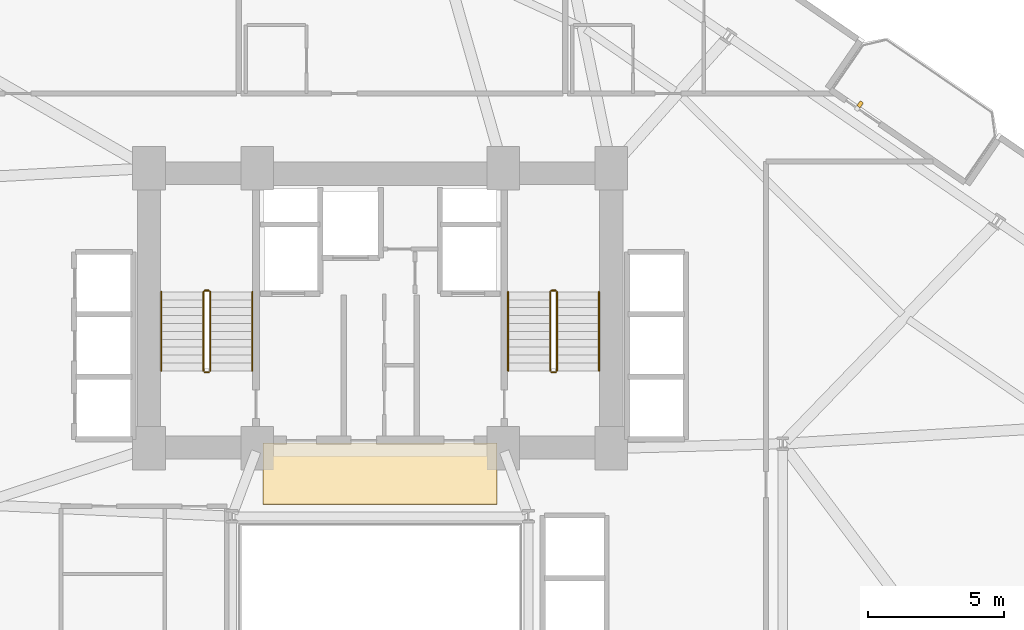
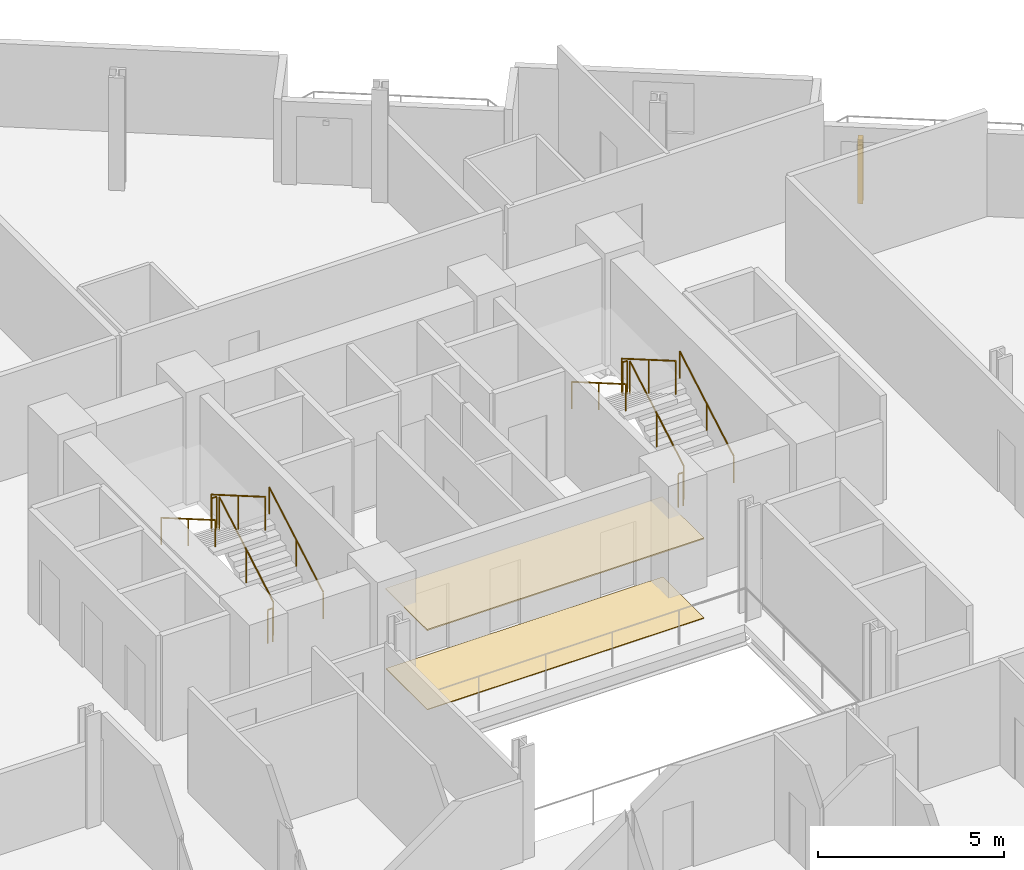
# One storey, part 24 of 25: 12 railings, 2 coverings, 1 shading device.
"""IFC4 building model written with IfcOpenShell, lengths in metres."""

from ifc_helpers import new_model, si_unit, direction, frame, origin, origin_2d, place, context, subcontext, project, spatial, rectangle, circle, extrude, source, transform, mapped, material, layer, layer_set, type_object, element, save


model = new_model("IFC4")

# Units and contexts
model_context = context("Model", 3, precision=1e-05, world=origin(), true_north=direction((0.0, 1.0)))
body_context = subcontext(model_context, "Body", "Model", "MODEL_VIEW")
ifc_project = project(units=[si_unit("LENGTHUNIT", "METRE"), si_unit("AREAUNIT", "SQUARE_METRE"), si_unit("VOLUMEUNIT", "CUBIC_METRE"), si_unit("PLANEANGLEUNIT", "RADIAN"), si_unit("MASSUNIT", "GRAM", prefix="KILO")], contexts=[model_context])

# Site, building, storey
site_placement = place(None, origin())
site = spatial("IfcSite", under=ifc_project, at=site_placement, CompositionType="ELEMENT")
building_placement = place(site_placement, origin())
building = spatial("IfcBuilding", under=site, at=building_placement, Name="Varnelok Gate Tower", CompositionType="ELEMENT")
storey_placement = place(building_placement, frame((0.0, 0.0, 56.60009765625)))
storey = spatial("IfcBuildingStorey", under=building, at=storey_placement, Name="L13", CompositionType="ELEMENT", Elevation=56.60009765625)

# Railings
ifc_material_1 = material(Name="Brushed Stainless Steel AISI 316", Category="steel")
railing_type_1 = type_object("IfcRailingType", Name="RL-HANDRAIL-900", PredefinedType="HANDRAIL", material=ifc_material_1)
railing_1_placement = place(storey_placement, frame((34.5, 31.60009765625, 0.16796875)))
element("IfcRailing", 1, at=railing_1_placement, inside=storey, type_object=railing_type_1, Name="L13 ST-1 stair handrail 1", PredefinedType="HANDRAIL", context=body_context, shape_type="SweptSolid", body=[
    extrude(circle(Radius=0.02392578125, at=origin_2d()), frame((0.0, 0.0, 0.8759765625), z_axis=(0.0, 0.865038774852, 0.501705010941), x_axis=(-1.0, 0.0, 0.0)), (0.0, 0.0, 1.0), 3.352294921875),
    extrude(circle(Radius=0.02099609375, at=origin_2d()), origin(), (0.0, 0.0, 1.0), 0.851806640625),
    extrude(circle(Radius=0.02099609375, at=origin_2d()), frame((0.0, 1.449951171875, 0.8408203125)), (0.0, 0.0, 1.0), 0.851806640625),
    extrude(circle(Radius=0.02099609375, at=origin_2d()), frame((0.0, 2.89990234375, 1.681884765625)), (0.0, 0.0, 1.0), 0.851806640625),
])
railing_2_placement = place(storey_placement, frame((31.14990234375, 34.5, 2.01806640625)))
element("IfcRailing", 2, at=railing_2_placement, inside=storey, type_object=railing_type_1, Name="L13 ST-1 stair handrail 2", PredefinedType="HANDRAIL", context=body_context, shape_type="SweptSolid", body=[
    extrude(circle(Radius=0.02392578125, at=origin_2d()), frame((0.0, 0.0, 0.8759765625), z_axis=(0.0, -0.865038774852, 0.501705010941), x_axis=(1.0, 0.0, 0.0)), (0.0, 0.0, 1.0), 3.352294921875),
    extrude(circle(Radius=0.02099609375, at=origin_2d()), origin(), (0.0, 0.0, 1.0), 0.851806640625),
    extrude(circle(Radius=0.02099609375, at=origin_2d()), frame((0.0, -1.449951171875, 0.8408203125)), (0.0, 0.0, 1.0), 0.851806640625),
    extrude(circle(Radius=0.02099609375, at=origin_2d()), frame((0.0, -2.89990234375, 1.681884765625)), (0.0, 0.0, 1.0), 0.851806640625),
])
railing_3_placement = place(storey_placement, frame((47.25, 31.60009765625, 0.16796875)))
element("IfcRailing", 3, at=railing_3_placement, inside=storey, type_object=railing_type_1, Name="L13 ST-2 stair handrail 1", PredefinedType="HANDRAIL", context=body_context, shape_type="SweptSolid", body=[
    extrude(circle(Radius=0.02392578125, at=origin_2d()), frame((0.0, 0.0, 0.8759765625), z_axis=(0.0, 0.865038774852, 0.501705010941), x_axis=(-1.0, 0.0, 0.0)), (0.0, 0.0, 1.0), 3.352294921875),
    extrude(circle(Radius=0.02099609375, at=origin_2d()), origin(), (0.0, 0.0, 1.0), 0.851806640625),
    extrude(circle(Radius=0.02099609375, at=origin_2d()), frame((0.0, 1.449951171875, 0.8408203125)), (0.0, 0.0, 1.0), 0.851806640625),
    extrude(circle(Radius=0.02099609375, at=origin_2d()), frame((0.0, 2.89990234375, 1.681884765625)), (0.0, 0.0, 1.0), 0.851806640625),
])
railing_4_placement = place(storey_placement, frame((43.89990234375, 34.5, 2.01806640625)))
element("IfcRailing", 4, at=railing_4_placement, inside=storey, type_object=railing_type_1, Name="L13 ST-2 stair handrail 2", PredefinedType="HANDRAIL", context=body_context, shape_type="SweptSolid", body=[
    extrude(circle(Radius=0.02392578125, at=origin_2d()), frame((0.0, 0.0, 0.8759765625), z_axis=(0.0, -0.865038774852, 0.501705010941), x_axis=(1.0, 0.0, 0.0)), (0.0, 0.0, 1.0), 3.352294921875),
    extrude(circle(Radius=0.02099609375, at=origin_2d()), origin(), (0.0, 0.0, 1.0), 0.851806640625),
    extrude(circle(Radius=0.02099609375, at=origin_2d()), frame((0.0, -1.449951171875, 0.8408203125)), (0.0, 0.0, 1.0), 0.851806640625),
    extrude(circle(Radius=0.02099609375, at=origin_2d()), frame((0.0, -2.89990234375, 1.681884765625)), (0.0, 0.0, 1.0), 0.851806640625),
])
ifc_material_2 = material(Name="Galvanized Steel Grade S350GD", Category="steel")
railing_type_2 = type_object("IfcRailingType", Name="RL-STAIR-GUARD1120", PredefinedType="GUARDRAIL", material=ifc_material_2)
railing_5_placement = place(storey_placement, frame((32.949951171875, 31.60009765625, 0.16796875)))
element("IfcRailing", 5, at=railing_5_placement, inside=storey, type_object=railing_type_2, Name="L13 ST-1 stair guard 1", PredefinedType="GUARDRAIL", context=body_context, shape_type="SweptSolid", body=[
    extrude(circle(Radius=0.02392578125, at=origin_2d()), frame((0.0, 0.0, 1.09619140625), z_axis=(0.0, 0.865038774852, 0.501705010941), x_axis=(-1.0, 0.0, 0.0)), (0.0, 0.0, 1.0), 3.352294921875),
    extrude(circle(Radius=0.02099609375, at=origin_2d()), origin(), (0.0, 0.0, 1.0), 1.072021484375),
    extrude(circle(Radius=0.02099609375, at=origin_2d()), frame((0.0, 1.449951171875, 0.8408203125)), (0.0, 0.0, 1.0), 1.072021484375),
    extrude(circle(Radius=0.02099609375, at=origin_2d()), frame((0.0, 2.89990234375, 1.681884765625)), (0.0, 0.0, 1.0), 1.072021484375),
])
railing_6_placement = place(storey_placement, frame((32.89990234375, 34.550048828125, 1.849853515625)))
element("IfcRailing", 6, at=railing_6_placement, inside=storey, type_object=railing_type_2, Name="L13 ST-1 stair guard 2", PredefinedType="GUARDRAIL", context=body_context, shape_type="SweptSolid", body=[
    extrude(circle(Radius=0.02392578125, at=origin_2d()), frame((0.0, 0.0, 1.09619140625), z_axis=(-1.0, 0.0, 0.0), x_axis=(0.0, -1.0, 0.0)), (0.0, 0.0, 1.0), 0.14990234375),
    extrude(circle(Radius=0.02099609375, at=origin_2d()), origin(), (0.0, 0.0, 1.0), 1.072021484375),
    extrude(circle(Radius=0.02099609375, at=origin_2d()), frame((-0.14990234375, 0.0, 0.0)), (0.0, 0.0, 1.0), 1.072021484375),
])
railing_7_placement = place(storey_placement, frame((32.699951171875, 34.5, 2.01806640625)))
element("IfcRailing", 7, at=railing_7_placement, inside=storey, type_object=railing_type_2, Name="L13 ST-1 stair guard 3", PredefinedType="GUARDRAIL", context=body_context, shape_type="SweptSolid", body=[
    extrude(circle(Radius=0.02392578125, at=origin_2d()), frame((0.0, 0.0, 1.09619140625), z_axis=(0.0, -0.865038774852, 0.501705010941), x_axis=(1.0, 0.0, 0.0)), (0.0, 0.0, 1.0), 3.352294921875),
    extrude(circle(Radius=0.02099609375, at=origin_2d()), origin(), (0.0, 0.0, 1.0), 1.072021484375),
    extrude(circle(Radius=0.02099609375, at=origin_2d()), frame((0.0, -1.449951171875, 0.8408203125)), (0.0, 0.0, 1.0), 1.072021484375),
    extrude(circle(Radius=0.02099609375, at=origin_2d()), frame((0.0, -2.89990234375, 1.681884765625)), (0.0, 0.0, 1.0), 1.072021484375),
])
railing_8_placement = place(storey_placement, frame((32.89990234375, 31.550048828125, 0.0)))
element("IfcRailing", 8, at=railing_8_placement, inside=storey, type_object=railing_type_2, Name="L13 ST-1 stair guard 4", PredefinedType="GUARDRAIL", context=body_context, shape_type="SweptSolid", body=[
    extrude(circle(Radius=0.02392578125, at=origin_2d()), frame((0.0, 0.0, 1.09619140625), z_axis=(-1.0, 0.0, 0.0), x_axis=(0.0, -1.0, 0.0)), (0.0, 0.0, 1.0), 0.14990234375),
    extrude(circle(Radius=0.02099609375, at=origin_2d()), origin(), (0.0, 0.0, 1.0), 1.072021484375),
    extrude(circle(Radius=0.02099609375, at=origin_2d()), frame((-0.14990234375, 0.0, 0.0)), (0.0, 0.0, 1.0), 1.072021484375),
])
railing_9_placement = place(storey_placement, frame((45.699951171875, 31.60009765625, 0.16796875)))
element("IfcRailing", 9, at=railing_9_placement, inside=storey, type_object=railing_type_2, Name="L13 ST-2 stair guard 1", PredefinedType="GUARDRAIL", context=body_context, shape_type="SweptSolid", body=[
    extrude(circle(Radius=0.02392578125, at=origin_2d()), frame((0.0, 0.0, 1.09619140625), z_axis=(0.0, 0.865038774852, 0.501705010941), x_axis=(-1.0, 0.0, 0.0)), (0.0, 0.0, 1.0), 3.352294921875),
    extrude(circle(Radius=0.02099609375, at=origin_2d()), origin(), (0.0, 0.0, 1.0), 1.072021484375),
    extrude(circle(Radius=0.02099609375, at=origin_2d()), frame((0.0, 1.449951171875, 0.8408203125)), (0.0, 0.0, 1.0), 1.072021484375),
    extrude(circle(Radius=0.02099609375, at=origin_2d()), frame((0.0, 2.89990234375, 1.681884765625)), (0.0, 0.0, 1.0), 1.072021484375),
])
railing_10_placement = place(storey_placement, frame((45.64990234375, 34.550048828125, 1.849853515625)))
element("IfcRailing", 10, at=railing_10_placement, inside=storey, type_object=railing_type_2, Name="L13 ST-2 stair guard 2", PredefinedType="GUARDRAIL", context=body_context, shape_type="SweptSolid", body=[
    extrude(circle(Radius=0.02392578125, at=origin_2d()), frame((0.0, 0.0, 1.09619140625), z_axis=(-1.0, 0.0, 0.0), x_axis=(0.0, -1.0, 0.0)), (0.0, 0.0, 1.0), 0.14990234375),
    extrude(circle(Radius=0.02099609375, at=origin_2d()), origin(), (0.0, 0.0, 1.0), 1.072021484375),
    extrude(circle(Radius=0.02099609375, at=origin_2d()), frame((-0.14990234375, 0.0, 0.0)), (0.0, 0.0, 1.0), 1.072021484375),
])
railing_11_placement = place(storey_placement, frame((45.449951171875, 34.5, 2.01806640625)))
element("IfcRailing", 11, at=railing_11_placement, inside=storey, type_object=railing_type_2, Name="L13 ST-2 stair guard 3", PredefinedType="GUARDRAIL", context=body_context, shape_type="SweptSolid", body=[
    extrude(circle(Radius=0.02392578125, at=origin_2d()), frame((0.0, 0.0, 1.09619140625), z_axis=(0.0, -0.865038774852, 0.501705010941), x_axis=(1.0, 0.0, 0.0)), (0.0, 0.0, 1.0), 3.352294921875),
    extrude(circle(Radius=0.02099609375, at=origin_2d()), origin(), (0.0, 0.0, 1.0), 1.072021484375),
    extrude(circle(Radius=0.02099609375, at=origin_2d()), frame((0.0, -1.449951171875, 0.8408203125)), (0.0, 0.0, 1.0), 1.072021484375),
    extrude(circle(Radius=0.02099609375, at=origin_2d()), frame((0.0, -2.89990234375, 1.681884765625)), (0.0, 0.0, 1.0), 1.072021484375),
])
railing_12_placement = place(storey_placement, frame((45.64990234375, 31.550048828125, 0.0)))
element("IfcRailing", 12, at=railing_12_placement, inside=storey, type_object=railing_type_2, Name="L13 ST-2 stair guard 4", PredefinedType="GUARDRAIL", context=body_context, shape_type="SweptSolid", body=[
    extrude(circle(Radius=0.02392578125, at=origin_2d()), frame((0.0, 0.0, 1.09619140625), z_axis=(-1.0, 0.0, 0.0), x_axis=(0.0, -1.0, 0.0)), (0.0, 0.0, 1.0), 0.14990234375),
    extrude(circle(Radius=0.02099609375, at=origin_2d()), origin(), (0.0, 0.0, 1.0), 1.072021484375),
    extrude(circle(Radius=0.02099609375, at=origin_2d()), frame((-0.14990234375, 0.0, 0.0)), (0.0, 0.0, 1.0), 1.072021484375),
])

# Shading device
ifc_material_3 = material(Name="Glazed Architectural Terracotta Ceramic", Category="masonry")
shading_device_type = type_object("IfcShadingDeviceType", Name="SHD-TERRA-FIN", PredefinedType="USERDEFINED", material=ifc_material_3)
shared_shape_1 = source(origin(), body_context, "Body", "SweptSolid", [
    extrude(rectangle(XDim=0.139892578125, YDim=0.219970703125, at=origin_2d()), origin(), (0.0, 0.0, 1.0), 2.10009765625),
])
shading_device_placement = place(storey_placement, frame((56.847412109375, 41.400390625, 0.099853515625), z_axis=(0.0, 0.0, 1.0), x_axis=(0.823532597628, -0.567268949127, 0.0)))
element("IfcShadingDevice", 13, at=shading_device_placement, inside=storey, type_object=shading_device_type, Name="L13 Terracotta Ceramic Baguette Sunscreen 4.1", ObjectType="BAGUETTE", PredefinedType="USERDEFINED", context=body_context, shape_type="MappedRepresentation", body=[
    mapped(shared_shape_1, transform((0.0, 0.0, 0.0), scale=1.0)),
])

# Coverings
ifc_material_4 = material(Name="Honed Travertine Stone Flooring", Category="masonry")
ifc_layer_1 = layer(ifc_material_4, 0.02490234375)
ifc_layer_set_1 = layer_set([ifc_layer_1], Name="Honed Travertine Stone Flooring")
covering_type_1 = type_object("IfcCoveringType", Name="COV-FLOR-STONE", PredefinedType="FLOORING", material=ifc_layer_set_1)
shared_shape_2 = source(origin(), body_context, "Body", "SweptSolid", [
    extrude(rectangle(XDim=8.60009765625, YDim=2.219970703125, at=origin_2d()), origin(), (0.0, 0.0, 1.0), 0.02490234375),
])
covering_1_placement = place(storey_placement, frame((39.199951171875, 27.800048828125, 0.0), z_axis=(0.0, 0.0, 1.0), x_axis=(1.0, 0.0, 0.0)))
element("IfcCovering", 14, at=covering_1_placement, inside=storey, type_object=covering_type_1, Name="L13 Core Gallery Stone Flooring", PredefinedType="FLOORING", context=body_context, shape_type="MappedRepresentation", body=[
    mapped(shared_shape_2, transform((0.0, 0.0, 0.0), scale=1.0)),
])
ifc_material_5 = material(Name="Mineral Fiber Acoustic Ceiling Tile")
ifc_layer_2 = layer(ifc_material_5, 0.0400390625)
ifc_layer_set_2 = layer_set([ifc_layer_2], Name="Mineral Fiber Acoustic Ceiling Tile")
covering_type_2 = type_object("IfcCoveringType", Name="COV-CEIL-ACOUST", PredefinedType="CEILING", material=ifc_layer_set_2)
shared_shape_3 = source(origin(), body_context, "Body", "SweptSolid", [
    extrude(rectangle(XDim=8.60009765625, YDim=2.239990234375, at=origin_2d()), origin(), (0.0, 0.0, 1.0), 0.0400390625),
])
covering_2_placement = place(storey_placement, frame((39.199951171875, 27.820068359375, 2.599853515625), z_axis=(0.0, 0.0, 1.0), x_axis=(1.0, 0.0, 0.0)))
element("IfcCovering", 15, at=covering_2_placement, inside=storey, type_object=covering_type_2, Name="L13 Core Gallery Acoustic Ceiling", PredefinedType="CEILING", context=body_context, shape_type="MappedRepresentation", body=[
    mapped(shared_shape_3, transform((0.0, 0.0, 0.0), scale=1.0)),
])

save(model, "model.ifc")
